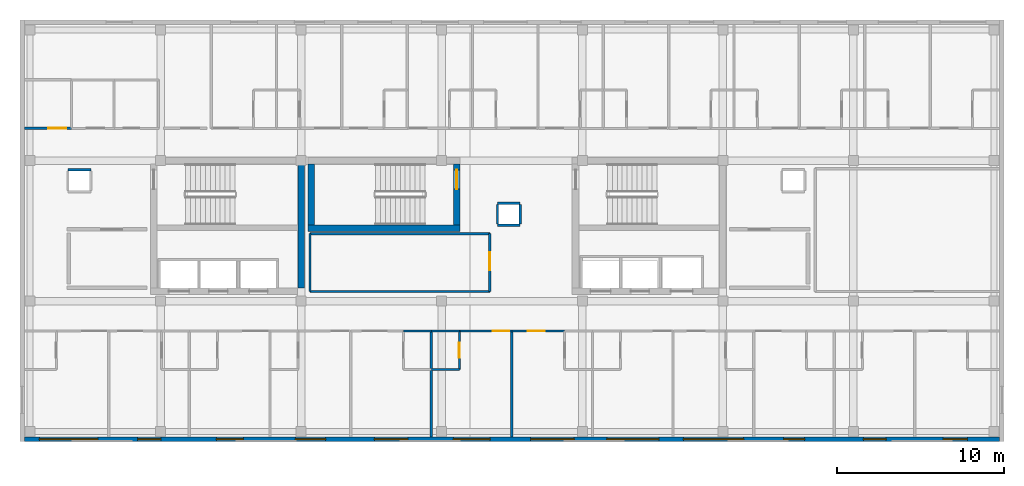
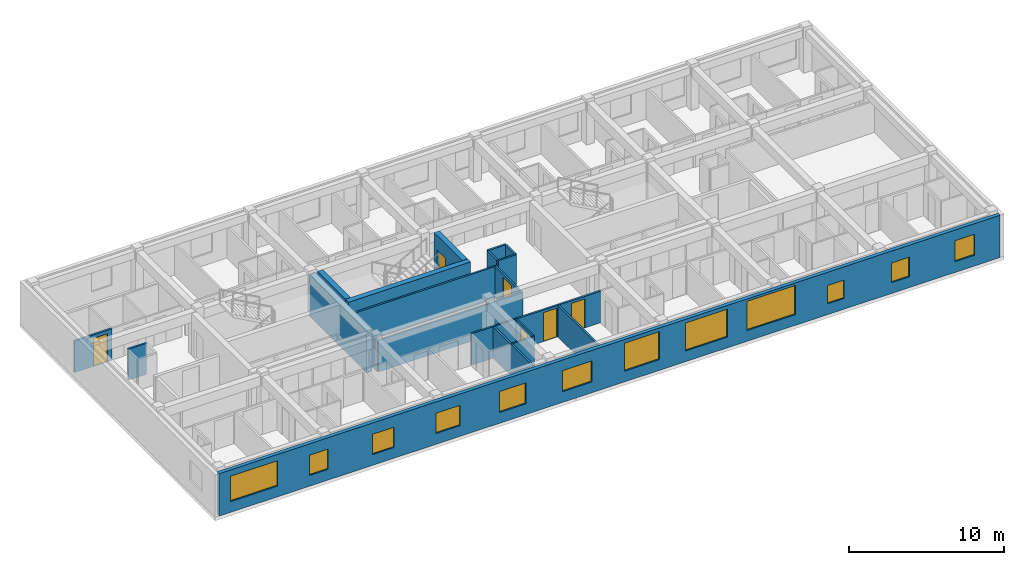
# One storey, part 3 of 9: 23 walls, 12 windows, 6 doors, 18 openings.
"""IFC4 building model written with IfcOpenShell, lengths in metres."""

from ifc_helpers import new_model, si_unit, direction, frame, frame_2d, origin, place, context, subcontext, project, spatial, rectangle, extrude, material, layer, layer_set, type_object, element, fill, save


model = new_model("IFC4")

# Units and contexts
model_context = context("Model", 3, precision=1e-05, world=origin(), true_north=direction((0.0, 1.0)))
body_context = subcontext(model_context, "Body", "Model", "MODEL_VIEW")
ifc_project = project(units=[si_unit("LENGTHUNIT", "METRE"), si_unit("AREAUNIT", "SQUARE_METRE"), si_unit("VOLUMEUNIT", "CUBIC_METRE"), si_unit("PLANEANGLEUNIT", "RADIAN"), si_unit("MASSUNIT", "GRAM", prefix="KILO")], contexts=[model_context])

# Site, building, storey
site_placement = place(None, origin())
site = spatial("IfcSite", under=ifc_project, at=site_placement, CompositionType="ELEMENT")
building_placement = place(site_placement, origin())
building = spatial("IfcBuilding", under=site, at=building_placement, Name="Zayran Congress Hotel", CompositionType="ELEMENT")
storey_placement = place(building_placement, frame((0.0, 0.0, 37.199951171875)))
storey = spatial("IfcBuildingStorey", under=building, at=storey_placement, Name="L09", CompositionType="ELEMENT", Elevation=37.199951171875)

# Wall, openings, windows
ifc_material_1 = material(Name="Hajar Ma'ani limestone cavity wall and concrete C32/40", Category="masonry")
ifc_layer_1 = layer(ifc_material_1, 0.280029296875)
ifc_layer_set_1 = layer_set([ifc_layer_1], Name="Hajar Ma'ani limestone cavity wall and concrete C32/40")
wall_type_1 = type_object("IfcWallType", Name="WL-EX-280", PredefinedType="SOLIDWALL", material=ifc_layer_set_1)
wall_1_placement = place(storey_placement, frame((75.320068359375, 8.93994140625, 0.0), z_axis=(0.0, 0.0, 1.0), x_axis=(-1.0, 0.0, 0.0)))
wall_1 = element("IfcWall", 1, at=wall_1_placement, inside=storey, type_object=wall_type_1, Name="EW-V5-S-L09", PredefinedType="SOLIDWALL", context=body_context, shape_type="SweptSolid", body=[
    extrude(rectangle(XDim=58.239990234375, YDim=0.280029296875, at=frame_2d((29.1201171875, 0.0))), origin(), (0.0, 0.0, 1.0), 3.340087890625),
])
opening_1_placement = place(wall_1_placement, frame((53.861083984375, 0.0, 0.85009765625)))
opening_1 = element("IfcOpeningElement", 2, at=opening_1_placement, cuts=wall_1, Name="Opening WN-13", PredefinedType="OPENING", context=body_context, shape_type="SweptSolid", body=[
    extrude(rectangle(XDim=3.5, YDim=2.0, at=frame_2d((1.75, 1.0))), frame((0.0, 0.14990234375, 0.0), z_axis=(0.0, -1.0, 0.0), x_axis=(1.0, 0.0, 0.0)), (0.0, 0.0, 1.0), 0.300048828125),
])
opening_2_placement = place(wall_1_placement, frame((50.094970703125, 0.0, 0.85009765625)))
opening_2 = element("IfcOpeningElement", 3, at=opening_2_placement, cuts=wall_1, Name="Opening WN-14", PredefinedType="OPENING", context=body_context, shape_type="SweptSolid", body=[
    extrude(rectangle(XDim=1.39990234375, YDim=1.60009765625, at=frame_2d((0.699951171875, 0.800048828125))), frame((0.0, 0.14990234375, 0.0), z_axis=(0.0, -1.0, 0.0), x_axis=(1.0, 0.0, 0.0)), (0.0, 0.0, 1.0), 0.300048828125),
])
opening_3_placement = place(wall_1_placement, frame((45.177978515625, 0.0, 0.85009765625)))
opening_3 = element("IfcOpeningElement", 4, at=opening_3_placement, cuts=wall_1, Name="Opening WN-15", PredefinedType="OPENING", context=body_context, shape_type="SweptSolid", body=[
    extrude(rectangle(XDim=1.60009765625, YDim=1.60009765625, at=frame_2d((0.800048828125, 0.800048828125))), frame((0.0, 0.14990234375, 0.0), z_axis=(0.0, -1.0, 0.0), x_axis=(1.0, 0.0, 0.0)), (0.0, 0.0, 1.0), 0.300048828125),
])
opening_4_placement = place(wall_1_placement, frame((40.260986328125, 0.0, 0.85009765625)))
opening_4 = element("IfcOpeningElement", 5, at=opening_4_placement, cuts=wall_1, Name="Opening WN-16", PredefinedType="OPENING", context=body_context, shape_type="SweptSolid", body=[
    extrude(rectangle(XDim=1.800048828125, YDim=1.60009765625, at=frame_2d((0.89990234375, 0.800048828125))), frame((0.0, 0.14990234375, 0.0), z_axis=(0.0, -1.0, 0.0), x_axis=(1.0, 0.0, 0.0)), (0.0, 0.0, 1.0), 0.300048828125),
])
opening_5_placement = place(wall_1_placement, frame((35.344970703125, 0.0, 0.85009765625)))
opening_5 = element("IfcOpeningElement", 6, at=opening_5_placement, cuts=wall_1, Name="Opening WN-17", PredefinedType="OPENING", context=body_context, shape_type="SweptSolid", body=[
    extrude(rectangle(XDim=2.0, YDim=1.64990234375, at=frame_2d((1.0, 0.824951171875))), frame((0.0, 0.14990234375, 0.0), z_axis=(0.0, -1.0, 0.0), x_axis=(1.0, 0.0, 0.0)), (0.0, 0.0, 1.0), 0.300048828125),
])
opening_6_placement = place(wall_1_placement, frame((30.427978515625, 0.0, 0.85009765625)))
opening_6 = element("IfcOpeningElement", 7, at=opening_6_placement, cuts=wall_1, Name="Opening WN-18", PredefinedType="OPENING", context=body_context, shape_type="SweptSolid", body=[
    extrude(rectangle(XDim=2.199951171875, YDim=1.64990234375, at=frame_2d((1.10009765625, 0.824951171875))), frame((0.0, 0.14990234375, 0.0), z_axis=(0.0, -1.0, 0.0), x_axis=(1.0, 0.0, 0.0)), (0.0, 0.0, 1.0), 0.300048828125),
])
opening_7_placement = place(wall_1_placement, frame((25.410888671875, 0.0, 0.85009765625)))
opening_7 = element("IfcOpeningElement", 8, at=opening_7_placement, cuts=wall_1, Name="Opening WN-19", PredefinedType="OPENING", context=body_context, shape_type="SweptSolid", body=[
    extrude(rectangle(XDim=2.60009765625, YDim=2.199951171875, at=frame_2d((1.300048828125, 1.10009765625))), frame((0.0, 0.14990234375, 0.0), z_axis=(0.0, -1.0, 0.0), x_axis=(1.0, 0.0, 0.0)), (0.0, 0.0, 1.0), 0.300048828125),
])
opening_8_placement = place(wall_1_placement, frame((20.344970703125, 0.0, 0.85009765625)))
opening_8 = element("IfcOpeningElement", 9, at=opening_8_placement, cuts=wall_1, Name="Opening WN-20", PredefinedType="OPENING", context=body_context, shape_type="SweptSolid", body=[
    extrude(rectangle(XDim=3.10009765625, YDim=2.199951171875, at=frame_2d((1.550048828125, 1.10009765625))), frame((0.0, 0.14990234375, 0.0), z_axis=(0.0, -1.0, 0.0), x_axis=(1.0, 0.0, 0.0)), (0.0, 0.0, 1.0), 0.300048828125),
])
opening_9_placement = place(wall_1_placement, frame((15.278076171875, 0.0, 0.85009765625)))
opening_9 = element("IfcOpeningElement", 10, at=opening_9_placement, cuts=wall_1, Name="Opening WN-21", PredefinedType="OPENING", context=body_context, shape_type="SweptSolid", body=[
    extrude(rectangle(XDim=3.60009765625, YDim=2.300048828125, at=frame_2d((1.800048828125, 1.14990234375))), frame((0.0, 0.14990234375, 0.0), z_axis=(0.0, -1.0, 0.0), x_axis=(1.0, 0.0, 0.0)), (0.0, 0.0, 1.0), 0.300048828125),
])
opening_10_placement = place(wall_1_placement, frame((11.635986328125, 0.0, 0.85009765625)))
opening_10 = element("IfcOpeningElement", 11, at=opening_10_placement, cuts=wall_1, Name="Opening WN-23", PredefinedType="OPENING", context=body_context, shape_type="SweptSolid", body=[
    extrude(rectangle(XDim=1.25, YDim=1.449951171875, at=frame_2d((0.625, 0.72509765625))), frame((0.0, 0.14990234375, 0.0), z_axis=(0.0, -1.0, 0.0), x_axis=(1.0, 0.0, 0.0)), (0.0, 0.0, 1.0), 0.300048828125),
])
opening_11_placement = place(wall_1_placement, frame((6.77001953125, 0.0, 0.85009765625)))
opening_11 = element("IfcOpeningElement", 12, at=opening_11_placement, cuts=wall_1, Name="Opening WN-24", PredefinedType="OPENING", context=body_context, shape_type="SweptSolid", body=[
    extrude(rectangle(XDim=1.35009765625, YDim=1.550048828125, at=frame_2d((0.675048828125, 0.77490234375))), frame((0.0, 0.14990234375, 0.0), z_axis=(0.0, -1.0, 0.0), x_axis=(1.0, 0.0, 0.0)), (0.0, 0.0, 1.0), 0.300048828125),
])
opening_12_placement = place(wall_1_placement, frame((1.904052734375, 0.0, 0.85009765625)))
opening_12 = element("IfcOpeningElement", 13, at=opening_12_placement, cuts=wall_1, Name="Opening WN-25", PredefinedType="OPENING", context=body_context, shape_type="SweptSolid", body=[
    extrude(rectangle(XDim=1.449951171875, YDim=1.64990234375, at=frame_2d((0.72509765625, 0.824951171875))), frame((0.0, 0.14990234375, 0.0), z_axis=(0.0, -1.0, 0.0), x_axis=(1.0, 0.0, 0.0)), (0.0, 0.0, 1.0), 0.300048828125),
])
ifc_material_2 = material(Name="Anodised aluminium and low-E insulated glass", Category="aluminium")
window_type_1 = type_object("IfcWindowType", Name="TP-WN-13", PartitioningType="TRIPLE_PANEL_VERTICAL", PredefinedType="WINDOW", material=ifc_material_2)
window_1_placement = place(opening_1_placement, origin())
window_1 = element("IfcWindow", 14, at=window_1_placement, inside=storey, type_object=window_type_1, Name="WIN-V5S-L09-0417", OverallHeight=2.0, OverallWidth=3.5, PartitioningType="SINGLE_PANEL", PredefinedType="WINDOW", context=body_context, shape_type="SweptSolid", body=[
    extrude(rectangle(XDim=3.5, YDim=2.0, at=frame_2d((1.75, 1.0))), frame((0.0, 0.030029296875, 0.0), z_axis=(0.0, -1.0, 0.0), x_axis=(1.0, 0.0, 0.0)), (0.0, 0.0, 1.0), 0.06005859375),
])
fill(opening_1, window_1)
window_type_2 = type_object("IfcWindowType", Name="TP-WN-14", PartitioningType="SINGLE_PANEL", PredefinedType="WINDOW", material=ifc_material_2)
window_2_placement = place(opening_2_placement, origin())
window_2 = element("IfcWindow", 15, at=window_2_placement, inside=storey, type_object=window_type_2, Name="WIN-V5S-L09-0418", OverallHeight=1.60009765625, OverallWidth=1.39990234375, PartitioningType="SINGLE_PANEL", PredefinedType="WINDOW", context=body_context, shape_type="SweptSolid", body=[
    extrude(rectangle(XDim=1.39990234375, YDim=1.60009765625, at=frame_2d((0.699951171875, 0.800048828125))), frame((0.0, 0.030029296875, 0.0), z_axis=(0.0, -1.0, 0.0), x_axis=(1.0, 0.0, 0.0)), (0.0, 0.0, 1.0), 0.06005859375),
])
fill(opening_2, window_2)
window_type_3 = type_object("IfcWindowType", Name="TP-WN-15", PartitioningType="SINGLE_PANEL", PredefinedType="WINDOW", material=ifc_material_2)
window_3_placement = place(opening_3_placement, origin())
window_3 = element("IfcWindow", 16, at=window_3_placement, inside=storey, type_object=window_type_3, Name="WIN-V5S-L09-0419", OverallHeight=1.60009765625, OverallWidth=1.60009765625, PartitioningType="SINGLE_PANEL", PredefinedType="WINDOW", context=body_context, shape_type="SweptSolid", body=[
    extrude(rectangle(XDim=1.60009765625, YDim=1.60009765625, at=frame_2d((0.800048828125, 0.800048828125))), frame((0.0, 0.030029296875, 0.0), z_axis=(0.0, -1.0, 0.0), x_axis=(1.0, 0.0, 0.0)), (0.0, 0.0, 1.0), 0.06005859375),
])
fill(opening_3, window_3)
window_type_4 = type_object("IfcWindowType", Name="TP-WN-16", PartitioningType="DOUBLE_PANEL_VERTICAL", PredefinedType="WINDOW", material=ifc_material_2)
window_4_placement = place(opening_4_placement, origin())
window_4 = element("IfcWindow", 17, at=window_4_placement, inside=storey, type_object=window_type_4, Name="WIN-V5S-L09-0420", OverallHeight=1.60009765625, OverallWidth=1.800048828125, PartitioningType="SINGLE_PANEL", PredefinedType="WINDOW", context=body_context, shape_type="SweptSolid", body=[
    extrude(rectangle(XDim=1.800048828125, YDim=1.60009765625, at=frame_2d((0.89990234375, 0.800048828125))), frame((0.0, 0.030029296875, 0.0), z_axis=(0.0, -1.0, 0.0), x_axis=(1.0, 0.0, 0.0)), (0.0, 0.0, 1.0), 0.06005859375),
])
fill(opening_4, window_4)
window_type_5 = type_object("IfcWindowType", Name="TP-WN-17", PartitioningType="DOUBLE_PANEL_VERTICAL", PredefinedType="WINDOW", material=ifc_material_2)
window_5_placement = place(opening_5_placement, origin())
window_5 = element("IfcWindow", 18, at=window_5_placement, inside=storey, type_object=window_type_5, Name="WIN-V5S-L09-0421", OverallHeight=1.64990234375, OverallWidth=2.0, PartitioningType="SINGLE_PANEL", PredefinedType="WINDOW", context=body_context, shape_type="SweptSolid", body=[
    extrude(rectangle(XDim=2.0, YDim=1.64990234375, at=frame_2d((1.0, 0.824951171875))), frame((0.0, 0.030029296875, 0.0), z_axis=(0.0, -1.0, 0.0), x_axis=(1.0, 0.0, 0.0)), (0.0, 0.0, 1.0), 0.06005859375),
])
fill(opening_5, window_5)
window_type_6 = type_object("IfcWindowType", Name="TP-WN-18", PartitioningType="DOUBLE_PANEL_VERTICAL", PredefinedType="WINDOW", material=ifc_material_2)
window_6_placement = place(opening_6_placement, origin())
window_6 = element("IfcWindow", 19, at=window_6_placement, inside=storey, type_object=window_type_6, Name="WIN-V5S-L09-0422", OverallHeight=1.64990234375, OverallWidth=2.199951171875, PartitioningType="SINGLE_PANEL", PredefinedType="WINDOW", context=body_context, shape_type="SweptSolid", body=[
    extrude(rectangle(XDim=2.199951171875, YDim=1.64990234375, at=frame_2d((1.10009765625, 0.824951171875))), frame((0.0, 0.030029296875, 0.0), z_axis=(0.0, -1.0, 0.0), x_axis=(1.0, 0.0, 0.0)), (0.0, 0.0, 1.0), 0.06005859375),
])
fill(opening_6, window_6)
window_type_7 = type_object("IfcWindowType", Name="TP-WN-19", PartitioningType="DOUBLE_PANEL_VERTICAL", PredefinedType="WINDOW", material=ifc_material_2)
window_7_placement = place(opening_7_placement, origin())
window_7 = element("IfcWindow", 20, at=window_7_placement, inside=storey, type_object=window_type_7, Name="WIN-V5S-L09-0423", OverallHeight=2.199951171875, OverallWidth=2.60009765625, PartitioningType="SINGLE_PANEL", PredefinedType="WINDOW", context=body_context, shape_type="SweptSolid", body=[
    extrude(rectangle(XDim=2.60009765625, YDim=2.199951171875, at=frame_2d((1.300048828125, 1.10009765625))), frame((0.0, 0.030029296875, 0.0), z_axis=(0.0, -1.0, 0.0), x_axis=(1.0, 0.0, 0.0)), (0.0, 0.0, 1.0), 0.06005859375),
])
fill(opening_7, window_7)
window_type_8 = type_object("IfcWindowType", Name="TP-WN-20", PartitioningType="TRIPLE_PANEL_VERTICAL", PredefinedType="WINDOW", material=ifc_material_2)
window_8_placement = place(opening_8_placement, origin())
window_8 = element("IfcWindow", 21, at=window_8_placement, inside=storey, type_object=window_type_8, Name="WIN-V5S-L09-0424", OverallHeight=2.199951171875, OverallWidth=3.10009765625, PartitioningType="SINGLE_PANEL", PredefinedType="WINDOW", context=body_context, shape_type="SweptSolid", body=[
    extrude(rectangle(XDim=3.10009765625, YDim=2.199951171875, at=frame_2d((1.550048828125, 1.10009765625))), frame((0.0, 0.030029296875, 0.0), z_axis=(0.0, -1.0, 0.0), x_axis=(1.0, 0.0, 0.0)), (0.0, 0.0, 1.0), 0.06005859375),
])
fill(opening_8, window_8)
window_type_9 = type_object("IfcWindowType", Name="TP-WN-21", PartitioningType="TRIPLE_PANEL_VERTICAL", PredefinedType="WINDOW", material=ifc_material_2)
window_9_placement = place(opening_9_placement, origin())
window_9 = element("IfcWindow", 22, at=window_9_placement, inside=storey, type_object=window_type_9, Name="WIN-V5S-L09-0425", OverallHeight=2.300048828125, OverallWidth=3.60009765625, PartitioningType="SINGLE_PANEL", PredefinedType="WINDOW", context=body_context, shape_type="SweptSolid", body=[
    extrude(rectangle(XDim=3.60009765625, YDim=2.300048828125, at=frame_2d((1.800048828125, 1.14990234375))), frame((0.0, 0.030029296875, 0.0), z_axis=(0.0, -1.0, 0.0), x_axis=(1.0, 0.0, 0.0)), (0.0, 0.0, 1.0), 0.06005859375),
])
fill(opening_9, window_9)
window_type_10 = type_object("IfcWindowType", Name="TP-WN-23", PartitioningType="SINGLE_PANEL", PredefinedType="WINDOW", material=ifc_material_2)
window_10_placement = place(opening_10_placement, origin())
window_10 = element("IfcWindow", 23, at=window_10_placement, inside=storey, type_object=window_type_10, Name="WIN-V5S-L09-0426", OverallHeight=1.449951171875, OverallWidth=1.25, PartitioningType="SINGLE_PANEL", PredefinedType="WINDOW", context=body_context, shape_type="SweptSolid", body=[
    extrude(rectangle(XDim=1.25, YDim=1.449951171875, at=frame_2d((0.625, 0.72509765625))), frame((0.0, 0.030029296875, 0.0), z_axis=(0.0, -1.0, 0.0), x_axis=(1.0, 0.0, 0.0)), (0.0, 0.0, 1.0), 0.06005859375),
])
fill(opening_10, window_10)
window_type_11 = type_object("IfcWindowType", Name="TP-WN-24", PartitioningType="SINGLE_PANEL", PredefinedType="WINDOW", material=ifc_material_2)
window_11_placement = place(opening_11_placement, origin())
window_11 = element("IfcWindow", 24, at=window_11_placement, inside=storey, type_object=window_type_11, Name="WIN-V5S-L09-0427", OverallHeight=1.550048828125, OverallWidth=1.35009765625, PartitioningType="SINGLE_PANEL", PredefinedType="WINDOW", context=body_context, shape_type="SweptSolid", body=[
    extrude(rectangle(XDim=1.35009765625, YDim=1.550048828125, at=frame_2d((0.675048828125, 0.77490234375))), frame((0.0, 0.030029296875, 0.0), z_axis=(0.0, -1.0, 0.0), x_axis=(1.0, 0.0, 0.0)), (0.0, 0.0, 1.0), 0.06005859375),
])
fill(opening_11, window_11)
window_type_12 = type_object("IfcWindowType", Name="TP-WN-25", PartitioningType="SINGLE_PANEL", PredefinedType="WINDOW", material=ifc_material_2)
window_12_placement = place(opening_12_placement, origin())
window_12 = element("IfcWindow", 25, at=window_12_placement, inside=storey, type_object=window_type_12, Name="WIN-V5S-L09-0428", OverallHeight=1.64990234375, OverallWidth=1.449951171875, PartitioningType="SINGLE_PANEL", PredefinedType="WINDOW", context=body_context, shape_type="SweptSolid", body=[
    extrude(rectangle(XDim=1.449951171875, YDim=1.64990234375, at=frame_2d((0.72509765625, 0.824951171875))), frame((0.0, 0.030029296875, 0.0), z_axis=(0.0, -1.0, 0.0), x_axis=(1.0, 0.0, 0.0)), (0.0, 0.0, 1.0), 0.06005859375),
])
fill(opening_12, window_12)

# Walls
ifc_material_3 = material(Name="Concrete C40/50", Category="concrete")
ifc_layer_2 = layer(ifc_material_3, 0.39990234375)
ifc_layer_set_2 = layer_set([ifc_layer_2], Name="Concrete C40/50")
wall_type_2 = type_object("IfcWallType", Name="WL-SH-400", PredefinedType="SHEAR", material=ifc_layer_set_2)
wall_2_placement = place(storey_placement, frame((33.60009765625, 18.0, 0.0), z_axis=(0.0, 0.0, 1.0), x_axis=(0.0, 1.0, 0.0)))
element("IfcWall", 26, at=wall_2_placement, inside=storey, type_object=wall_type_2, Name="CWALL-C-V5W-L09-E", PredefinedType="SHEAR", context=body_context, shape_type="SweptSolid", body=[
    extrude(rectangle(XDim=7.39990234375, YDim=0.39990234375, at=frame_2d((3.699951171875, 0.0))), origin(), (0.0, 0.0, 1.0), 3.320068359375),
])
wall_3_placement = place(storey_placement, frame((34.0, 21.56005859375, 0.0), z_axis=(0.0, 0.0, 1.0), x_axis=(1.0, 0.0, 0.0)))
element("IfcWall", 27, at=wall_3_placement, inside=storey, type_object=wall_type_2, Name="CWALL-C-V5M-L09-S", PredefinedType="SHEAR", context=body_context, shape_type="SweptSolid", body=[
    extrude(rectangle(XDim=9.10009765625, YDim=0.39990234375, at=frame_2d((4.550048828125, 0.0))), origin(), (0.0, 0.0, 1.0), 3.320068359375),
])
wall_4_placement = place(storey_placement, frame((34.199951171875, 25.39990234375, 0.0), z_axis=(0.0, 0.0, 1.0), x_axis=(0.0, -1.0, 0.0)))
element("IfcWall", 28, at=wall_4_placement, inside=storey, type_object=wall_type_2, Name="CWALL-C-V5M-L09-W", PredefinedType="SHEAR", context=body_context, shape_type="SweptSolid", body=[
    extrude(rectangle(XDim=3.639892578125, YDim=0.39990234375, at=frame_2d((1.81982421875, 0.0))), origin(), (0.0, 0.0, 1.0), 3.320068359375),
])

# Wall, opening, door
wall_5_placement = place(storey_placement, frame((42.89990234375, 21.760009765625, 0.0), z_axis=(0.0, 0.0, 1.0), x_axis=(0.0, 1.0, 0.0)))
wall_5 = element("IfcWall", 29, at=wall_5_placement, inside=storey, type_object=wall_type_2, Name="CWALL-C-V5M-L09-E", PredefinedType="SHEAR", context=body_context, shape_type="SweptSolid", body=[
    extrude(rectangle(XDim=3.639892578125, YDim=0.39990234375, at=frame_2d((1.81982421875, 0.0))), origin(), (0.0, 0.0, 1.0), 3.320068359375),
])
opening_13_placement = place(wall_5_placement, frame((2.139892578125, 0.0, 0.0)))
opening_13 = element("IfcOpeningElement", 30, at=opening_13_placement, cuts=wall_5, Name="Opening DR-FD-90", PredefinedType="OPENING", context=body_context, shape_type="SweptSolid", body=[
    extrude(rectangle(XDim=1.14990234375, YDim=2.199951171875, at=frame_2d((0.574951171875, 1.10009765625))), frame((0.0, 0.2099609375, 0.0), z_axis=(0.0, -1.0, 0.0), x_axis=(1.0, 0.0, 0.0)), (0.0, 0.0, 1.0), 0.419921875),
])
ifc_material_4 = material(Name="Painted steel fire door assembly", Category="steel")
door_type_1 = type_object("IfcDoorType", Name="TP-DR-FD-90", OperationType="NOTDEFINED", PredefinedType="DOOR", material=ifc_material_4)
door_1_placement = place(opening_13_placement, origin())
door_1 = element("IfcDoor", 31, at=door_1_placement, inside=storey, type_object=door_type_1, Name="ST-13 Exit Stair Door L09", OperationType="SINGLE_SWING_LEFT", OverallHeight=2.199951171875, OverallWidth=1.14990234375, PredefinedType="DOOR", context=body_context, shape_type="SweptSolid", body=[
    extrude(rectangle(XDim=1.14990234375, YDim=2.199951171875, at=frame_2d((0.574951171875, 1.10009765625))), frame((0.0, 0.02490234375, 0.0), z_axis=(0.0, -1.0, 0.0), x_axis=(1.0, 0.0, 0.0)), (0.0, 0.0, 1.0), 0.050048828125),
])
fill(opening_13, door_1)

ifc_material_5 = material(Name="Hospitality guestroom acoustic partition", Category="gypsum")
ifc_layer_3 = layer(ifc_material_5, 0.139892578125)
ifc_layer_set_3 = layer_set([ifc_layer_3], Name="Hospitality guestroom acoustic partition")
wall_type_3 = type_object("IfcWallType", Name="WL-PT-140", PredefinedType="PARTITIONING", material=ifc_layer_set_3)
wall_6_placement = place(storey_placement, frame((44.8701171875, 17.77001953125, 0.0), z_axis=(0.0, 0.0, 1.0), x_axis=(0.0, 1.0, 0.0)))
wall_6 = element("IfcWall", 32, at=wall_6_placement, inside=storey, type_object=wall_type_3, Name="IW-L09-0784", PredefinedType="PARTITIONING", context=body_context, shape_type="SweptSolid", body=[
    extrude(rectangle(XDim=3.4599609375, YDim=0.139892578125, at=frame_2d((1.72998046875, 0.0))), origin(), (0.0, 0.0, 1.0), 2.47998046875),
])
opening_14_placement = place(wall_6_placement, frame((1.283935546875, 0.0, 0.0)))
opening_14 = element("IfcOpeningElement", 33, at=opening_14_placement, cuts=wall_6, Name="Opening DR-MT-01", PredefinedType="OPENING", context=body_context, shape_type="SweptSolid", body=[
    extrude(rectangle(XDim=1.080078125, YDim=2.25, at=frame_2d((0.5400390625, 1.125))), frame((0.0, 0.079833984375, 0.0), z_axis=(0.0, -1.0, 0.0), x_axis=(1.0, 0.0, 0.0)), (0.0, 0.0, 1.0), 0.159912109375),
])
ifc_material_6 = material(Name="Acoustic timber seminar room door", Category="wood")
door_type_2 = type_object("IfcDoorType", Name="TP-DR-MT-01", OperationType="NOTDEFINED", PredefinedType="DOOR", material=ifc_material_6)
door_2_placement = place(opening_14_placement, origin())
door_2 = element("IfcDoor", 34, at=door_2_placement, inside=storey, type_object=door_type_2, Name="Hospitality Gallery Lounge L09 Door", OperationType="SINGLE_SWING_LEFT", OverallHeight=2.25, OverallWidth=1.080078125, PredefinedType="DOOR", context=body_context, shape_type="SweptSolid", body=[
    extrude(rectangle(XDim=1.080078125, YDim=2.25, at=frame_2d((0.5400390625, 1.125))), frame((0.0, 0.02490234375, 0.0), z_axis=(0.0, -1.0, 0.0), x_axis=(1.0, 0.0, 0.0)), (0.0, 0.0, 1.0), 0.050048828125),
])
fill(opening_14, door_2)

wall_7_placement = place(storey_placement, frame((43.052978515625, 15.419921875, 0.0), z_axis=(0.0, 0.0, 1.0), x_axis=(1.0, 0.0, 0.0)))
wall_7 = element("IfcWall", 35, at=wall_7_placement, inside=storey, type_object=wall_type_3, Name="IW-L09-0791", PredefinedType="PARTITIONING", context=body_context, shape_type="SweptSolid", body=[
    extrude(rectangle(XDim=3.136962890625, YDim=0.139892578125, at=frame_2d((1.568359375, 0.0))), origin(), (0.0, 0.0, 1.0), 2.47998046875),
])
opening_15_placement = place(wall_7_placement, frame((1.9970703125, 0.0, 0.0)))
opening_15 = element("IfcOpeningElement", 36, at=opening_15_placement, cuts=wall_7, Name="Opening DR-GR-04", PredefinedType="OPENING", context=body_context, shape_type="SweptSolid", body=[
    extrude(rectangle(XDim=1.0, YDim=2.280029296875, at=frame_2d((0.5, 1.14013671875))), frame((0.0, 0.079833984375, 0.0), z_axis=(0.0, -1.0, 0.0), x_axis=(1.0, 0.0, 0.0)), (0.0, 0.0, 1.0), 0.159912109375),
])
ifc_material_7 = material(Name="Diplomatic walnut veneer entry door", Category="wood")
door_type_3 = type_object("IfcDoorType", Name="TP-DR-GR-04", OperationType="NOTDEFINED", PredefinedType="DOOR", material=ifc_material_7)
door_3_placement = place(opening_15_placement, origin())
door_3 = element("IfcDoor", 37, at=door_3_placement, inside=storey, type_object=door_type_3, Name="Guest Room L09-06 Door", OperationType="SINGLE_SWING_RIGHT", OverallHeight=2.280029296875, OverallWidth=1.0, PredefinedType="DOOR", context=body_context, shape_type="SweptSolid", body=[
    extrude(rectangle(XDim=1.0, YDim=2.280029296875, at=frame_2d((0.5, 1.14013671875))), frame((0.0, 0.02490234375, 0.0), z_axis=(0.0, -1.0, 0.0), x_axis=(1.0, 0.0, 0.0)), (0.0, 0.0, 1.0), 0.050048828125),
])
fill(opening_15, door_3)

wall_8_placement = place(storey_placement, frame((46.2099609375, 15.419921875, 0.0), z_axis=(0.0, 0.0, 1.0), x_axis=(1.0, 0.0, 0.0)))
wall_8 = element("IfcWall", 38, at=wall_8_placement, inside=storey, type_object=wall_type_3, Name="IW-L09-0792", PredefinedType="PARTITIONING", context=body_context, shape_type="SweptSolid", body=[
    extrude(rectangle(XDim=3.136962890625, YDim=0.139892578125, at=frame_2d((1.568359375, 0.0))), origin(), (0.0, 0.0, 1.0), 2.47998046875),
])
opening_16_placement = place(wall_8_placement, frame((0.93603515625, 0.0, 0.0)))
opening_16 = element("IfcOpeningElement", 39, at=opening_16_placement, cuts=wall_8, Name="Opening DR-GR-04", PredefinedType="OPENING", context=body_context, shape_type="SweptSolid", body=[
    extrude(rectangle(XDim=1.0, YDim=2.280029296875, at=frame_2d((0.5, 1.14013671875))), frame((0.0, 0.079833984375, 0.0), z_axis=(0.0, -1.0, 0.0), x_axis=(1.0, 0.0, 0.0)), (0.0, 0.0, 1.0), 0.159912109375),
])
door_4_placement = place(opening_16_placement, origin())
door_4 = element("IfcDoor", 40, at=door_4_placement, inside=storey, type_object=door_type_3, Name="Guest Room L09-07 Door", OperationType="SINGLE_SWING_LEFT", OverallHeight=2.280029296875, OverallWidth=1.0, PredefinedType="DOOR", context=body_context, shape_type="SweptSolid", body=[
    extrude(rectangle(XDim=1.0, YDim=2.280029296875, at=frame_2d((0.5, 1.14013671875))), frame((0.0, 0.02490234375, 0.0), z_axis=(0.0, -1.0, 0.0), x_axis=(1.0, 0.0, 0.0)), (0.0, 0.0, 1.0), 0.050048828125),
])
fill(opening_16, door_4)

wall_9_placement = place(storey_placement, frame((17.080078125, 27.530029296875, 0.0), z_axis=(0.0, 0.0, 1.0), x_axis=(1.0, 0.0, 0.0)))
wall_9 = element("IfcWall", 41, at=wall_9_placement, inside=storey, type_object=wall_type_3, Name="IW-L09-0798", PredefinedType="PARTITIONING", context=body_context, shape_type="SweptSolid", body=[
    extrude(rectangle(XDim=2.7998046875, YDim=0.139892578125, at=frame_2d((1.39990234375, 0.0))), origin(), (0.0, 0.0, 1.0), 2.47998046875),
])
opening_17_placement = place(wall_9_placement, frame((1.409912109375, 0.0, 0.0)))
opening_17 = element("IfcOpeningElement", 42, at=opening_17_placement, cuts=wall_9, Name="Opening DR-PL-02", PredefinedType="OPENING", context=body_context, shape_type="SweptSolid", body=[
    extrude(rectangle(XDim=1.06005859375, YDim=2.199951171875, at=frame_2d((0.530029296875, 1.10009765625))), frame((0.0, 0.079833984375, 0.0), z_axis=(0.0, -1.0, 0.0), x_axis=(1.0, 0.0, 0.0)), (0.0, 0.0, 1.0), 0.159912109375),
])
ifc_material_8 = material(Name="Painted steel store room fire door", Category="steel")
door_type_4 = type_object("IfcDoorType", Name="TP-DR-PL-02", OperationType="NOTDEFINED", PredefinedType="DOOR", material=ifc_material_8)
door_5_placement = place(opening_17_placement, origin())
door_5 = element("IfcDoor", 43, at=door_5_placement, inside=storey, type_object=door_type_4, Name="Housekeeping and Linen Store L09 Door", OperationType="SINGLE_SWING_RIGHT", OverallHeight=2.199951171875, OverallWidth=1.06005859375, PredefinedType="DOOR", context=body_context, shape_type="SweptSolid", body=[
    extrude(rectangle(XDim=1.06005859375, YDim=2.199951171875, at=frame_2d((0.530029296875, 1.10009765625))), frame((0.0, 0.02490234375, 0.0), z_axis=(0.0, -1.0, 0.0), x_axis=(1.0, 0.0, 0.0)), (0.0, 0.0, 1.0), 0.050048828125),
])
fill(opening_17, door_5)

# Walls
for number, where, z_axis, x_axis, name in (
    (44, (34.1201171875, 17.780029296875, 0.0), (0.0, 0.0, 1.0), (1.0, 0.0, 0.0), "IW-L09-2117"),
    (45, (34.1201171875, 21.219970703125, 0.0), (0.0, 0.0, 1.0), (1.0, 0.0, 0.0), "IW-L09-2118"),
):
    element("IfcWall", number, at=place(storey_placement, frame(where, z_axis=z_axis, x_axis=x_axis)), inside=storey, type_object=wall_type_3, Name=name, PredefinedType="PARTITIONING", context=body_context, shape_type="SweptSolid", body=[
        extrude(rectangle(XDim=10.759765625, YDim=0.139892578125, at=frame_2d((5.3798828125, 0.0))), origin(), (0.0, 0.0, 1.0), 2.47998046875),
    ])
wall_10_placement = place(storey_placement, frame((34.1298828125, 17.77001953125, 0.0), z_axis=(0.0, 0.0, 1.0), x_axis=(0.0, 1.0, 0.0)))
element("IfcWall", 46, at=wall_10_placement, inside=storey, type_object=wall_type_3, Name="IW-L09-2119", PredefinedType="PARTITIONING", context=body_context, shape_type="SweptSolid", body=[
    extrude(rectangle(XDim=3.4599609375, YDim=0.139892578125, at=frame_2d((1.72998046875, 0.0))), origin(), (0.0, 0.0, 1.0), 2.47998046875),
])
for number, where, z_axis, x_axis, name in (
    (47, (41.373046875, 9.080078125, 0.0), (0.0, 0.0, 1.0), (0.0, 1.0, 0.0), "IW-L09-2126"),
    (48, (46.18994140625, 9.080078125, 0.0), (0.0, 0.0, 1.0), (0.0, 1.0, 0.0), "IW-L09-2127"),
):
    element("IfcWall", number, at=place(storey_placement, frame(where, z_axis=z_axis, x_axis=x_axis)), inside=storey, type_object=wall_type_3, Name=name, PredefinedType="PARTITIONING", context=body_context, shape_type="SweptSolid", body=[
        extrude(rectangle(XDim=6.349853515625, YDim=0.139892578125, at=frame_2d((3.1748046875, 0.0))), origin(), (0.0, 0.0, 1.0), 2.47998046875),
    ])
wall_11_placement = place(storey_placement, frame((21.030029296875, 25.050048828125, 0.0), z_axis=(0.0, 0.0, 1.0), x_axis=(-1.0, 0.0, 0.0)))
element("IfcWall", 49, at=wall_11_placement, inside=storey, type_object=wall_type_3, Name="RSWL-V5-L09-050-N", PredefinedType="PARTITIONING", context=body_context, shape_type="SweptSolid", body=[
    extrude(rectangle(XDim=1.360107421875, YDim=0.139892578125, at=frame_2d((0.68017578125, 0.0))), origin(), (0.0, 0.0, 1.0), 2.43994140625),
])
for number, where, z_axis, x_axis, name in (
    (50, (45.330078125, 21.72998046875, 0.0), (0.0, 0.0, 1.0), (1.0, 0.0, 0.0), "RSWL-V5-L09-051-S"),
    (51, (46.68994140625, 23.050048828125, 0.0), (0.0, 0.0, 1.0), (-1.0, 0.0, 0.0), "RSWL-V5-L09-051-N"),
):
    element("IfcWall", number, at=place(storey_placement, frame(where, z_axis=z_axis, x_axis=x_axis)), inside=storey, type_object=wall_type_3, Name=name, PredefinedType="PARTITIONING", context=body_context, shape_type="SweptSolid", body=[
        extrude(rectangle(XDim=1.35986328125, YDim=0.139892578125, at=frame_2d((0.679931640625, 0.0))), origin(), (0.0, 0.0, 1.0), 2.43994140625),
    ])
for number, where, z_axis, x_axis, name in (
    (52, (45.330078125, 22.97998046875, 0.0), (0.0, 0.0, 1.0), (0.0, -1.0, 0.0), "RSWL-V5-L09-051-W"),
    (53, (46.68994140625, 21.800048828125, 0.0), (0.0, 0.0, 1.0), (0.0, 1.0, 0.0), "RSWL-V5-L09-051-E"),
):
    element("IfcWall", number, at=place(storey_placement, frame(where, z_axis=z_axis, x_axis=x_axis)), inside=storey, type_object=wall_type_3, Name=name, PredefinedType="PARTITIONING", context=body_context, shape_type="SweptSolid", body=[
        extrude(rectangle(XDim=1.179931640625, YDim=0.139892578125, at=frame_2d((0.58984375, 0.0))), origin(), (0.0, 0.0, 1.0), 2.43994140625),
    ])

# Wall, opening, door
ifc_material_9 = material(Name="Moisture-resistant bathroom partition", Category="gypsum")
ifc_layer_4 = layer(ifc_material_9, 0.1201171875)
ifc_layer_set_4 = layer_set([ifc_layer_4], Name="Moisture-resistant bathroom partition")
wall_type_4 = type_object("IfcWallType", Name="WL-PT-120", PredefinedType="PARTITIONING", material=ifc_layer_set_4)
wall_12_placement = place(storey_placement, frame((43.052978515625, 13.1201171875, 0.0), z_axis=(0.0, 0.0, 1.0), x_axis=(0.0, 1.0, 0.0)))
wall_12 = element("IfcWall", 54, at=wall_12_placement, inside=storey, type_object=wall_type_4, Name="IW-L09-0276", PredefinedType="PARTITIONING", context=body_context, shape_type="SweptSolid", body=[
    extrude(rectangle(XDim=2.309814453125, YDim=0.1201171875, at=frame_2d((1.15478515625, 0.0))), origin(), (0.0, 0.0, 1.0), 2.47998046875),
])
opening_18_placement = place(wall_12_placement, frame((0.705078125, 0.0, 0.0)))
opening_18 = element("IfcOpeningElement", 55, at=opening_18_placement, cuts=wall_12, Name="Opening DR-BT-03", PredefinedType="OPENING", context=body_context, shape_type="SweptSolid", body=[
    extrude(rectangle(XDim=0.89990234375, YDim=2.179931640625, at=frame_2d((0.449951171875, 1.08984375))), frame((0.0, 0.070068359375, 0.0), z_axis=(0.0, -1.0, 0.0), x_axis=(1.0, 0.0, 0.0)), (0.0, 0.0, 1.0), 0.14013671875),
])
ifc_material_10 = material(Name="Suite oak en-suite bathroom door", Category="wood")
door_type_5 = type_object("IfcDoorType", Name="TP-DR-BT-03", OperationType="NOTDEFINED", PredefinedType="DOOR", material=ifc_material_10)
door_6_placement = place(opening_18_placement, origin())
door_6 = element("IfcDoor", 56, at=door_6_placement, inside=storey, type_object=door_type_5, Name="En-Suite Bathroom L09-06 Door", OperationType="SINGLE_SWING_LEFT", OverallHeight=2.179931640625, OverallWidth=0.89990234375, PredefinedType="DOOR", context=body_context, shape_type="SweptSolid", body=[
    extrude(rectangle(XDim=0.89990234375, YDim=2.179931640625, at=frame_2d((0.449951171875, 1.08984375))), frame((0.0, 0.02490234375, 0.0), z_axis=(0.0, -1.0, 0.0), x_axis=(1.0, 0.0, 0.0)), (0.0, 0.0, 1.0), 0.050048828125),
])
fill(opening_18, door_6)

# Walls
wall_13_placement = place(storey_placement, frame((39.702880859375, 15.419921875, 0.0), z_axis=(0.0, 0.0, 1.0), x_axis=(1.0, 0.0, 0.0)))
element("IfcWall", 57, at=wall_13_placement, inside=storey, type_object=wall_type_4, Name="IW-L09-1418", PredefinedType="PARTITIONING", context=body_context, shape_type="SweptSolid", body=[
    extrude(rectangle(XDim=1.68017578125, YDim=0.1201171875, at=frame_2d((0.840087890625, 0.0))), origin(), (0.0, 0.0, 1.0), 2.47998046875),
])
wall_14_placement = place(storey_placement, frame((41.383056640625, 13.1298828125, 0.0), z_axis=(0.0, 0.0, 1.0), x_axis=(1.0, 0.0, 0.0)))
element("IfcWall", 58, at=wall_14_placement, inside=storey, type_object=wall_type_4, Name="IW-L09-1419", PredefinedType="PARTITIONING", context=body_context, shape_type="SweptSolid", body=[
    extrude(rectangle(XDim=1.679931640625, YDim=0.1201171875, at=frame_2d((0.83984375, 0.0))), origin(), (0.0, 0.0, 1.0), 2.47998046875),
])
wall_15_placement = place(storey_placement, frame((41.383056640625, 15.419921875, 0.0), z_axis=(0.0, 0.0, 1.0), x_axis=(1.0, 0.0, 0.0)))
element("IfcWall", 59, at=wall_15_placement, inside=storey, type_object=wall_type_4, Name="IW-L09-1420", PredefinedType="PARTITIONING", context=body_context, shape_type="SweptSolid", body=[
    extrude(rectangle(XDim=1.669921875, YDim=0.1201171875, at=frame_2d((0.8349609375, 0.0))), origin(), (0.0, 0.0, 1.0), 2.47998046875),
])

save(model, "model.ifc")
